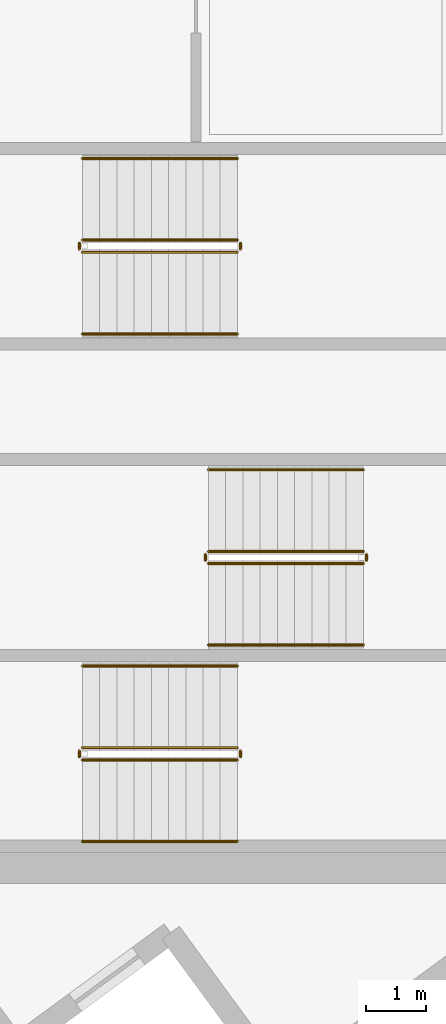
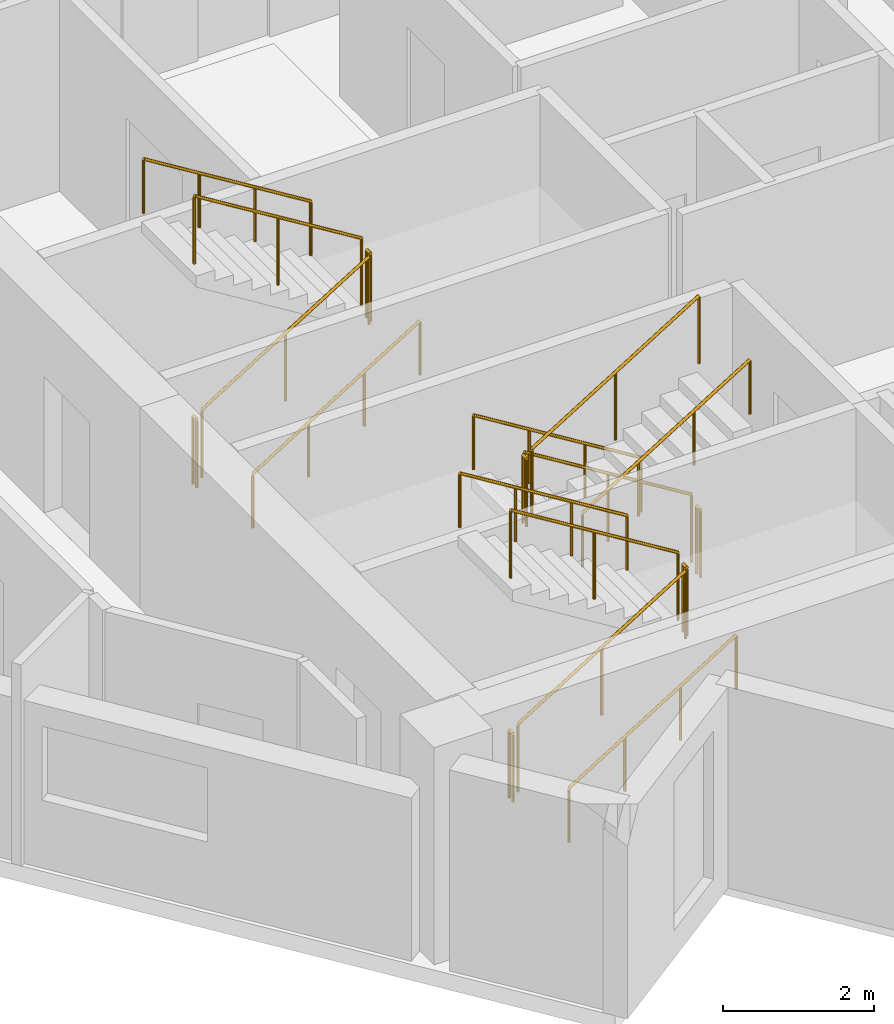
# One storey, part 12 of 13: 18 railings.
"""IFC4 building model written with IfcOpenShell, lengths in metres."""

from ifc_helpers import new_model, si_unit, direction, frame, origin, origin_2d, place, context, subcontext, project, spatial, circle, extrude, material, type_object, element, save


model = new_model("IFC4")

# Units and contexts
model_context = context("Model", 3, precision=1e-05, world=origin(), true_north=direction((0.0, 1.0)))
body_context = subcontext(model_context, "Body", "Model", "MODEL_VIEW")
ifc_project = project(units=[si_unit("LENGTHUNIT", "METRE"), si_unit("AREAUNIT", "SQUARE_METRE"), si_unit("VOLUMEUNIT", "CUBIC_METRE"), si_unit("PLANEANGLEUNIT", "RADIAN"), si_unit("MASSUNIT", "GRAM", prefix="KILO")], contexts=[model_context])

# Site, building, storey
site_placement = place(None, origin())
site = spatial("IfcSite", under=ifc_project, at=site_placement, CompositionType="ELEMENT")
building_placement = place(site_placement, origin())
building = spatial("IfcBuilding", under=site, at=building_placement, Name="Narakoshi Arena Tower", CompositionType="ELEMENT")
storey_placement = place(building_placement, frame((0.0, 0.0, 257.219970703125)))
storey = spatial("IfcBuildingStorey", under=building, at=storey_placement, Name="L70", CompositionType="ELEMENT", Elevation=257.219970703125)

# Railings
ifc_material_1 = material(Name="Clear low-iron laminated structural glass", Category="glass")
railing_type_1 = type_object("IfcRailingType", Name="RL-BAL-1100", PredefinedType="BALUSTRADE", material=ifc_material_1)
railing_1_placement = place(storey_placement, frame((74.39990234375, 36.949951171875, 0.176025390625)))
element("IfcRailing", 1, at=railing_1_placement, inside=storey, type_object=railing_type_1, Name="L70 ST1 stair guard 1", PredefinedType="BALUSTRADE", context=body_context, shape_type="SweptSolid", body=[
    extrude(circle(Radius=0.02392578125, at=origin_2d()), frame((0.0, 0.0, 1.09619140625), z_axis=(0.850856559306, 0.0, 0.525398054323), x_axis=(0.0, 1.0, 0.0)), (0.0, 0.0, 1.0), 3.014892578125),
    extrude(circle(Radius=0.02099609375, at=origin_2d()), origin(), (0.0, 0.0, 1.0), 1.072021484375),
    extrude(circle(Radius=0.02099609375, at=origin_2d()), frame((1.28271484375, 0.0, 0.7919921875)), (0.0, 0.0, 1.0), 1.072021484375),
    extrude(circle(Radius=0.02099609375, at=origin_2d()), frame((2.565185546875, 0.0, 1.583984375)), (0.0, 0.0, 1.0), 1.072021484375),
])
railing_2_placement = place(storey_placement, frame((77.014892578125, 37.0, 1.760009765625)))
element("IfcRailing", 2, at=railing_2_placement, inside=storey, type_object=railing_type_1, Name="L70 ST1 stair guard 2", PredefinedType="BALUSTRADE", context=body_context, shape_type="SweptSolid", body=[
    extrude(circle(Radius=0.02392578125, at=origin_2d()), frame((0.0, 0.0, 1.09619140625), z_axis=(0.0, 1.0, 0.0), x_axis=(-1.0, 0.0, 0.0)), (0.0, 0.0, 1.0), 0.10009765625),
    extrude(circle(Radius=0.02099609375, at=origin_2d()), origin(), (0.0, 0.0, 1.0), 1.072021484375),
    extrude(circle(Radius=0.02099609375, at=origin_2d()), frame((0.0, 0.10009765625, 0.0)), (0.0, 0.0, 1.0), 1.072021484375),
])
railing_3_placement = place(storey_placement, frame((76.965087890625, 37.14990234375, 1.93603515625)))
element("IfcRailing", 3, at=railing_3_placement, inside=storey, type_object=railing_type_1, Name="L70 ST1 stair guard 3", PredefinedType="BALUSTRADE", context=body_context, shape_type="SweptSolid", body=[
    extrude(circle(Radius=0.02392578125, at=origin_2d()), frame((0.0, 0.0, 1.09619140625), z_axis=(-0.850856559306, 0.0, 0.525398054323), x_axis=(0.0, -1.0, 0.0)), (0.0, 0.0, 1.0), 3.014892578125),
    extrude(circle(Radius=0.02099609375, at=origin_2d()), origin(), (0.0, 0.0, 1.0), 1.072021484375),
    extrude(circle(Radius=0.02099609375, at=origin_2d()), frame((-1.28271484375, 0.0, 0.7919921875)), (0.0, 0.0, 1.0), 1.072021484375),
    extrude(circle(Radius=0.02099609375, at=origin_2d()), frame((-2.565185546875, 0.0, 1.583984375)), (0.0, 0.0, 1.0), 1.072021484375),
])
railing_4_placement = place(storey_placement, frame((74.35009765625, 37.0, 0.0)))
element("IfcRailing", 4, at=railing_4_placement, inside=storey, type_object=railing_type_1, Name="L70 ST1 stair guard 4", PredefinedType="BALUSTRADE", context=body_context, shape_type="SweptSolid", body=[
    extrude(circle(Radius=0.02392578125, at=origin_2d()), frame((0.0, 0.0, 1.09619140625), z_axis=(0.0, 1.0, 0.0), x_axis=(-1.0, 0.0, 0.0)), (0.0, 0.0, 1.0), 0.10009765625),
    extrude(circle(Radius=0.02099609375, at=origin_2d()), origin(), (0.0, 0.0, 1.0), 1.072021484375),
    extrude(circle(Radius=0.02099609375, at=origin_2d()), frame((0.0, 0.10009765625, 0.0)), (0.0, 0.0, 1.0), 1.072021484375),
])
railing_5_placement = place(storey_placement, frame((79.050048828125, 40.39990234375, 0.176025390625)))
element("IfcRailing", 5, at=railing_5_placement, inside=storey, type_object=railing_type_1, Name="L70 ST2 stair guard 1", PredefinedType="BALUSTRADE", context=body_context, shape_type="SweptSolid", body=[
    extrude(circle(Radius=0.02392578125, at=origin_2d()), frame((0.0, 0.0, 1.09619140625), z_axis=(-0.850834203031, 0.0, 0.525434257497), x_axis=(0.0, -1.0, 0.0)), (0.0, 0.0, 1.0), 3.0146484375),
    extrude(circle(Radius=0.02099609375, at=origin_2d()), origin(), (0.0, 0.0, 1.0), 1.072021484375),
    extrude(circle(Radius=0.02099609375, at=origin_2d()), frame((-1.282470703125, 0.0, 0.7919921875)), (0.0, 0.0, 1.0), 1.072021484375),
    extrude(circle(Radius=0.02099609375, at=origin_2d()), frame((-2.56494140625, 0.0, 1.583984375)), (0.0, 0.0, 1.0), 1.072021484375),
])
railing_6_placement = place(storey_placement, frame((76.43505859375, 40.35009765625, 1.760009765625)))
element("IfcRailing", 6, at=railing_6_placement, inside=storey, type_object=railing_type_1, Name="L70 ST2 stair guard 2", PredefinedType="BALUSTRADE", context=body_context, shape_type="SweptSolid", body=[
    extrude(circle(Radius=0.02392578125, at=origin_2d()), frame((0.0, 0.0, 1.09619140625), z_axis=(0.0, -1.0, 0.0), x_axis=(1.0, 0.0, 0.0)), (0.0, 0.0, 1.0), 0.10009765625),
    extrude(circle(Radius=0.02099609375, at=origin_2d()), origin(), (0.0, 0.0, 1.0), 1.072021484375),
    extrude(circle(Radius=0.02099609375, at=origin_2d()), frame((0.0, -0.10009765625, 0.0)), (0.0, 0.0, 1.0), 1.072021484375),
])
railing_7_placement = place(storey_placement, frame((76.485107421875, 40.199951171875, 1.93603515625)))
element("IfcRailing", 7, at=railing_7_placement, inside=storey, type_object=railing_type_1, Name="L70 ST2 stair guard 3", PredefinedType="BALUSTRADE", context=body_context, shape_type="SweptSolid", body=[
    extrude(circle(Radius=0.02392578125, at=origin_2d()), frame((0.0, 0.0, 1.09619140625), z_axis=(0.850834203031, 0.0, 0.525434257497), x_axis=(0.0, 1.0, 0.0)), (0.0, 0.0, 1.0), 3.0146484375),
    extrude(circle(Radius=0.02099609375, at=origin_2d()), origin(), (0.0, 0.0, 1.0), 1.072021484375),
    extrude(circle(Radius=0.02099609375, at=origin_2d()), frame((1.282470703125, 0.0, 0.7919921875)), (0.0, 0.0, 1.0), 1.072021484375),
    extrude(circle(Radius=0.02099609375, at=origin_2d()), frame((2.56494140625, 0.0, 1.583984375)), (0.0, 0.0, 1.0), 1.072021484375),
])
railing_8_placement = place(storey_placement, frame((79.10009765625, 40.35009765625, 0.0)))
element("IfcRailing", 8, at=railing_8_placement, inside=storey, type_object=railing_type_1, Name="L70 ST2 stair guard 4", PredefinedType="BALUSTRADE", context=body_context, shape_type="SweptSolid", body=[
    extrude(circle(Radius=0.02392578125, at=origin_2d()), frame((0.0, 0.0, 1.09619140625), z_axis=(0.0, -1.0, 0.0), x_axis=(1.0, 0.0, 0.0)), (0.0, 0.0, 1.0), 0.10009765625),
    extrude(circle(Radius=0.02099609375, at=origin_2d()), origin(), (0.0, 0.0, 1.0), 1.072021484375),
    extrude(circle(Radius=0.02099609375, at=origin_2d()), frame((0.0, -0.10009765625, 0.0)), (0.0, 0.0, 1.0), 1.072021484375),
])
railing_9_placement = place(storey_placement, frame((74.39990234375, 45.35009765625, 0.176025390625)))
element("IfcRailing", 9, at=railing_9_placement, inside=storey, type_object=railing_type_1, Name="L70 ST3 stair guard 1", PredefinedType="BALUSTRADE", context=body_context, shape_type="SweptSolid", body=[
    extrude(circle(Radius=0.02392578125, at=origin_2d()), frame((0.0, 0.0, 1.09619140625), z_axis=(0.850856559306, 0.0, 0.525398054323), x_axis=(0.0, 1.0, 0.0)), (0.0, 0.0, 1.0), 3.014892578125),
    extrude(circle(Radius=0.02099609375, at=origin_2d()), origin(), (0.0, 0.0, 1.0), 1.072021484375),
    extrude(circle(Radius=0.02099609375, at=origin_2d()), frame((1.28271484375, 0.0, 0.7919921875)), (0.0, 0.0, 1.0), 1.072021484375),
    extrude(circle(Radius=0.02099609375, at=origin_2d()), frame((2.565185546875, 0.0, 1.583984375)), (0.0, 0.0, 1.0), 1.072021484375),
])
railing_10_placement = place(storey_placement, frame((77.014892578125, 45.39990234375, 1.760009765625)))
element("IfcRailing", 10, at=railing_10_placement, inside=storey, type_object=railing_type_1, Name="L70 ST3 stair guard 2", PredefinedType="BALUSTRADE", context=body_context, shape_type="SweptSolid", body=[
    extrude(circle(Radius=0.02392578125, at=origin_2d()), frame((0.0, 0.0, 1.09619140625), z_axis=(0.0, 1.0, 0.0), x_axis=(-1.0, 0.0, 0.0)), (0.0, 0.0, 1.0), 0.10009765625),
    extrude(circle(Radius=0.02099609375, at=origin_2d()), origin(), (0.0, 0.0, 1.0), 1.072021484375),
    extrude(circle(Radius=0.02099609375, at=origin_2d()), frame((0.0, 0.10009765625, 0.0)), (0.0, 0.0, 1.0), 1.072021484375),
])
railing_11_placement = place(storey_placement, frame((76.965087890625, 45.550048828125, 1.93603515625)))
element("IfcRailing", 11, at=railing_11_placement, inside=storey, type_object=railing_type_1, Name="L70 ST3 stair guard 3", PredefinedType="BALUSTRADE", context=body_context, shape_type="SweptSolid", body=[
    extrude(circle(Radius=0.02392578125, at=origin_2d()), frame((0.0, 0.0, 1.09619140625), z_axis=(-0.850856559306, 0.0, 0.525398054323), x_axis=(0.0, -1.0, 0.0)), (0.0, 0.0, 1.0), 3.014892578125),
    extrude(circle(Radius=0.02099609375, at=origin_2d()), origin(), (0.0, 0.0, 1.0), 1.072021484375),
    extrude(circle(Radius=0.02099609375, at=origin_2d()), frame((-1.28271484375, 0.0, 0.7919921875)), (0.0, 0.0, 1.0), 1.072021484375),
    extrude(circle(Radius=0.02099609375, at=origin_2d()), frame((-2.565185546875, 0.0, 1.583984375)), (0.0, 0.0, 1.0), 1.072021484375),
])
railing_12_placement = place(storey_placement, frame((74.35009765625, 45.39990234375, 0.0)))
element("IfcRailing", 12, at=railing_12_placement, inside=storey, type_object=railing_type_1, Name="L70 ST3 stair guard 4", PredefinedType="BALUSTRADE", context=body_context, shape_type="SweptSolid", body=[
    extrude(circle(Radius=0.02392578125, at=origin_2d()), frame((0.0, 0.0, 1.09619140625), z_axis=(0.0, 1.0, 0.0), x_axis=(-1.0, 0.0, 0.0)), (0.0, 0.0, 1.0), 0.10009765625),
    extrude(circle(Radius=0.02099609375, at=origin_2d()), origin(), (0.0, 0.0, 1.0), 1.072021484375),
    extrude(circle(Radius=0.02099609375, at=origin_2d()), frame((0.0, 0.10009765625, 0.0)), (0.0, 0.0, 1.0), 1.072021484375),
])
ifc_material_2 = material(Name="Brushed bronze stainless steel", Category="steel")
railing_type_2 = type_object("IfcRailingType", Name="RL-HND-900", PredefinedType="HANDRAIL", material=ifc_material_2)
railing_13_placement = place(storey_placement, frame((74.39990234375, 35.60009765625, 0.176025390625)))
element("IfcRailing", 13, at=railing_13_placement, inside=storey, type_object=railing_type_2, Name="L70 ST1 stair handrail 1", PredefinedType="HANDRAIL", context=body_context, shape_type="SweptSolid", body=[
    extrude(circle(Radius=0.02392578125, at=origin_2d()), frame((0.0, 0.0, 0.8759765625), z_axis=(0.850856559306, 0.0, 0.525398054323), x_axis=(0.0, 1.0, 0.0)), (0.0, 0.0, 1.0), 3.014892578125),
    extrude(circle(Radius=0.02099609375, at=origin_2d()), origin(), (0.0, 0.0, 1.0), 0.851806640625),
    extrude(circle(Radius=0.02099609375, at=origin_2d()), frame((0.85498046875, 0.0, 0.528076171875)), (0.0, 0.0, 1.0), 0.851806640625),
    extrude(circle(Radius=0.02099609375, at=origin_2d()), frame((1.710205078125, 0.0, 1.055908203125)), (0.0, 0.0, 1.0), 0.851806640625),
    extrude(circle(Radius=0.02099609375, at=origin_2d()), frame((2.565185546875, 0.0, 1.583984375)), (0.0, 0.0, 1.0), 0.851806640625),
])
railing_14_placement = place(storey_placement, frame((76.965087890625, 38.5, 1.93603515625)))
element("IfcRailing", 14, at=railing_14_placement, inside=storey, type_object=railing_type_2, Name="L70 ST1 stair handrail 2", PredefinedType="HANDRAIL", context=body_context, shape_type="SweptSolid", body=[
    extrude(circle(Radius=0.02392578125, at=origin_2d()), frame((0.0, 0.0, 0.8759765625), z_axis=(-0.850856559306, 0.0, 0.525398054323), x_axis=(0.0, -1.0, 0.0)), (0.0, 0.0, 1.0), 3.014892578125),
    extrude(circle(Radius=0.02099609375, at=origin_2d()), origin(), (0.0, 0.0, 1.0), 0.851806640625),
    extrude(circle(Radius=0.02099609375, at=origin_2d()), frame((-0.85498046875, 0.0, 0.528076171875)), (0.0, 0.0, 1.0), 0.851806640625),
    extrude(circle(Radius=0.02099609375, at=origin_2d()), frame((-1.710205078125, 0.0, 1.055908203125)), (0.0, 0.0, 1.0), 0.851806640625),
    extrude(circle(Radius=0.02099609375, at=origin_2d()), frame((-2.565185546875, 0.0, 1.583984375)), (0.0, 0.0, 1.0), 0.851806640625),
])
railing_15_placement = place(storey_placement, frame((79.050048828125, 41.75, 0.176025390625)))
element("IfcRailing", 15, at=railing_15_placement, inside=storey, type_object=railing_type_2, Name="L70 ST2 stair handrail 1", PredefinedType="HANDRAIL", context=body_context, shape_type="SweptSolid", body=[
    extrude(circle(Radius=0.02392578125, at=origin_2d()), frame((0.0, 0.0, 0.8759765625), z_axis=(-0.850834203031, 0.0, 0.525434257497), x_axis=(0.0, -1.0, 0.0)), (0.0, 0.0, 1.0), 3.0146484375),
    extrude(circle(Radius=0.02099609375, at=origin_2d()), origin(), (0.0, 0.0, 1.0), 0.851806640625),
    extrude(circle(Radius=0.02099609375, at=origin_2d()), frame((-0.85498046875, 0.0, 0.528076171875)), (0.0, 0.0, 1.0), 0.851806640625),
    extrude(circle(Radius=0.02099609375, at=origin_2d()), frame((-1.7099609375, 0.0, 1.055908203125)), (0.0, 0.0, 1.0), 0.851806640625),
    extrude(circle(Radius=0.02099609375, at=origin_2d()), frame((-2.56494140625, 0.0, 1.583984375)), (0.0, 0.0, 1.0), 0.851806640625),
])
railing_16_placement = place(storey_placement, frame((76.485107421875, 38.85009765625, 1.93603515625)))
element("IfcRailing", 16, at=railing_16_placement, inside=storey, type_object=railing_type_2, Name="L70 ST2 stair handrail 2", PredefinedType="HANDRAIL", context=body_context, shape_type="SweptSolid", body=[
    extrude(circle(Radius=0.02392578125, at=origin_2d()), frame((0.0, 0.0, 0.8759765625), z_axis=(0.850834203031, 0.0, 0.525434257497), x_axis=(0.0, 1.0, 0.0)), (0.0, 0.0, 1.0), 3.0146484375),
    extrude(circle(Radius=0.02099609375, at=origin_2d()), origin(), (0.0, 0.0, 1.0), 0.851806640625),
    extrude(circle(Radius=0.02099609375, at=origin_2d()), frame((0.85498046875, 0.0, 0.528076171875)), (0.0, 0.0, 1.0), 0.851806640625),
    extrude(circle(Radius=0.02099609375, at=origin_2d()), frame((1.7099609375, 0.0, 1.055908203125)), (0.0, 0.0, 1.0), 0.851806640625),
    extrude(circle(Radius=0.02099609375, at=origin_2d()), frame((2.56494140625, 0.0, 1.583984375)), (0.0, 0.0, 1.0), 0.851806640625),
])
railing_17_placement = place(storey_placement, frame((74.39990234375, 44.0, 0.176025390625)))
element("IfcRailing", 17, at=railing_17_placement, inside=storey, type_object=railing_type_2, Name="L70 ST3 stair handrail 1", PredefinedType="HANDRAIL", context=body_context, shape_type="SweptSolid", body=[
    extrude(circle(Radius=0.02392578125, at=origin_2d()), frame((0.0, 0.0, 0.8759765625), z_axis=(0.850856559306, 0.0, 0.525398054323), x_axis=(0.0, 1.0, 0.0)), (0.0, 0.0, 1.0), 3.014892578125),
    extrude(circle(Radius=0.02099609375, at=origin_2d()), origin(), (0.0, 0.0, 1.0), 0.851806640625),
    extrude(circle(Radius=0.02099609375, at=origin_2d()), frame((0.85498046875, 0.0, 0.528076171875)), (0.0, 0.0, 1.0), 0.851806640625),
    extrude(circle(Radius=0.02099609375, at=origin_2d()), frame((1.710205078125, 0.0, 1.055908203125)), (0.0, 0.0, 1.0), 0.851806640625),
    extrude(circle(Radius=0.02099609375, at=origin_2d()), frame((2.565185546875, 0.0, 1.583984375)), (0.0, 0.0, 1.0), 0.851806640625),
])
railing_18_placement = place(storey_placement, frame((76.965087890625, 46.89990234375, 1.93603515625)))
element("IfcRailing", 18, at=railing_18_placement, inside=storey, type_object=railing_type_2, Name="L70 ST3 stair handrail 2", PredefinedType="HANDRAIL", context=body_context, shape_type="SweptSolid", body=[
    extrude(circle(Radius=0.02392578125, at=origin_2d()), frame((0.0, 0.0, 0.8759765625), z_axis=(-0.850856559306, 0.0, 0.525398054323), x_axis=(0.0, -1.0, 0.0)), (0.0, 0.0, 1.0), 3.014892578125),
    extrude(circle(Radius=0.02099609375, at=origin_2d()), origin(), (0.0, 0.0, 1.0), 0.851806640625),
    extrude(circle(Radius=0.02099609375, at=origin_2d()), frame((-0.85498046875, 0.0, 0.528076171875)), (0.0, 0.0, 1.0), 0.851806640625),
    extrude(circle(Radius=0.02099609375, at=origin_2d()), frame((-1.710205078125, 0.0, 1.055908203125)), (0.0, 0.0, 1.0), 0.851806640625),
    extrude(circle(Radius=0.02099609375, at=origin_2d()), frame((-2.565185546875, 0.0, 1.583984375)), (0.0, 0.0, 1.0), 0.851806640625),
])

save(model, "model.ifc")
